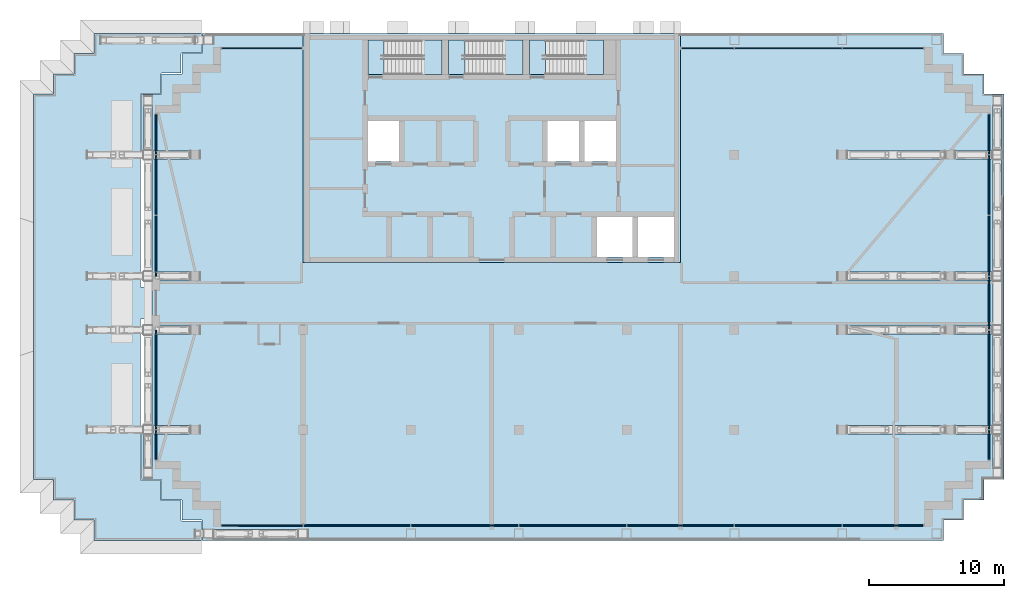
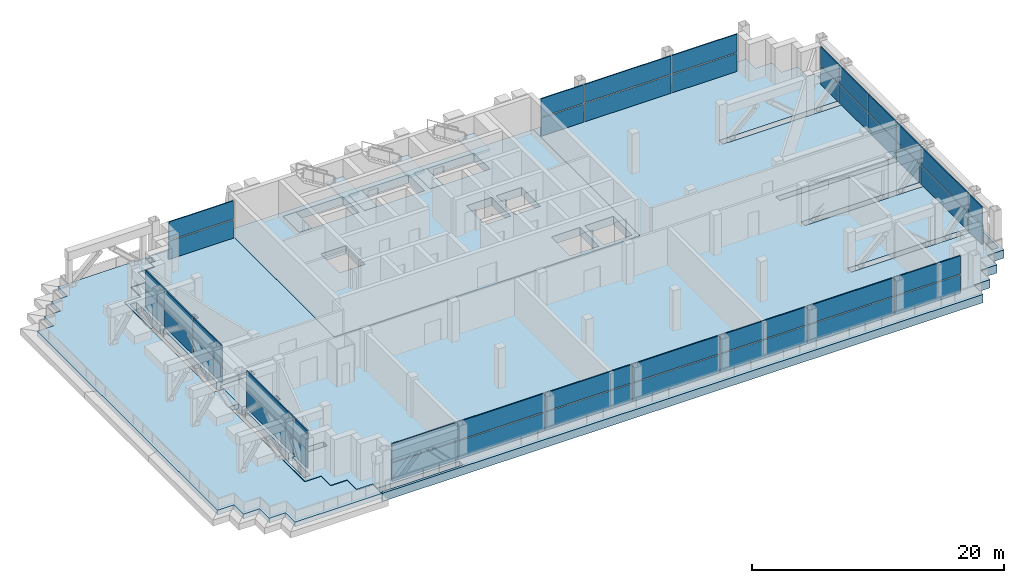
# One storey, part 6 of 21: 44 plates, 9 slabs, 9 elements without a shape of their own.
"""IFC4 building model written with IfcOpenShell, lengths in metres."""

from ifc_helpers import new_model, si_unit, direction, frame, origin, origin_2d, place, context, subcontext, project, spatial, polyline, rectangle, outline, extrude, material, layer, layer_set, type_object, element, aggregate, save


model = new_model("IFC4")

# Units and contexts
model_context = context("Model", 3, precision=1e-05, world=origin(), true_north=direction((0.0, 1.0)))
body_context = subcontext(model_context, "Body", "Model", "MODEL_VIEW")
ifc_project = project(units=[si_unit("LENGTHUNIT", "METRE"), si_unit("AREAUNIT", "SQUARE_METRE"), si_unit("VOLUMEUNIT", "CUBIC_METRE"), si_unit("PLANEANGLEUNIT", "RADIAN"), si_unit("MASSUNIT", "GRAM", prefix="KILO")], contexts=[model_context])

# Site, building, storey
site_placement = place(None, origin())
site = spatial("IfcSite", under=ifc_project, at=site_placement, CompositionType="ELEMENT")
building_placement = place(site_placement, origin())
building = spatial("IfcBuilding", under=site, at=building_placement, Name="Vidyagriha Tower", CompositionType="ELEMENT")
storey_placement = place(building_placement, frame((0.0, 0.0, 161.39990234375)))
storey = spatial("IfcBuildingStorey", under=building, at=storey_placement, Name="L41", CompositionType="ELEMENT", Elevation=161.39990234375)

# Slabs
ifc_material_1 = material(Name="Concrete C60/75", Category="concrete")
ifc_layer_1 = layer(ifc_material_1, 0.800048828125)
ifc_layer_set_1 = layer_set([ifc_layer_1], Name="Concrete C60/75")
slab_type_1 = type_object("IfcSlabType", Name="Core floor slab 800 mm", PredefinedType="FLOOR", material=ifc_layer_set_1)
slab_1_placement = place(storey_placement, frame((0.0, 0.0, -0.7998046875)))
element("IfcSlab", 1, at=slab_1_placement, inside=storey, type_object=slab_type_1, Name="L41 core floor 1", PredefinedType="FLOOR", context=body_context, shape_type="SweptSolid", body=[
    extrude(outline(polyline([(-14.0, 3.0), (-14.0, 20.0), (14.0, 20.0), (14.0, 3.0), (-14.0, 3.0)]), holes=[polyline([(13.5, 6.39990234375), (10.855712890625, 6.39990234375), (10.855712890625, 3.39990234375), (13.5, 3.39990234375), (13.5, 6.39990234375)]), polyline([(10.45556640625, 6.39990234375), (7.81103515625, 6.39990234375), (7.81103515625, 3.39990234375), (10.45556640625, 3.39990234375), (10.45556640625, 6.39990234375)]), polyline([(9.199951171875, 13.5), (6.86669921875, 13.5), (6.86669921875, 10.5), (9.199951171875, 10.5), (9.199951171875, 13.5)]), polyline([(2.800048828125, 19.5), (2.800048828125, 16.949951171875), (4.0, 16.949951171875), (8.300048828125, 16.949951171875), (8.300048828125, 19.5), (4.0, 19.5), (2.800048828125, 19.5)]), polyline([(4.13330078125, 13.5), (4.13330078125, 10.5), (6.466796875, 10.5), (6.466796875, 13.5), (4.13330078125, 13.5)]), polyline([(-2.0, 19.5), (-3.199951171875, 19.5), (-3.199951171875, 16.949951171875), (-2.0, 16.949951171875), (2.300048828125, 16.949951171875), (2.300048828125, 19.5), (-2.0, 19.5)]), polyline([(-9.199951171875, 19.5), (-9.199951171875, 16.949951171875), (-8.0, 16.949951171875), (-3.699951171875, 16.949951171875), (-3.699951171875, 19.5), (-8.0, 19.5), (-9.199951171875, 19.5)]), polyline([(-9.199951171875, 13.5), (-9.199951171875, 10.5), (-6.86669921875, 10.5), (-6.86669921875, 13.5), (-9.199951171875, 13.5)])]), origin(), (0.0, 0.0, 1.0), 0.7998046875),
])
ifc_material_2 = material(Name="Concrete C40/50", Category="concrete")
ifc_layer_2 = layer(ifc_material_2, 0.800048828125)
ifc_layer_set_2 = layer_set([ifc_layer_2], Name="Concrete C40/50")
slab_type_2 = type_object("IfcSlabType", Name="Exit stair floor landing 800 mm", PredefinedType="LANDING", material=ifc_layer_set_2)
slab_2_placement = place(storey_placement, frame((0.0, 0.0, -0.7998046875)))
element("IfcSlab", 2, at=slab_2_placement, inside=storey, type_object=slab_type_2, Name="ST1 floor landing L41", PredefinedType="LANDING", context=body_context, shape_type="SweptSolid", body=[
    extrude(outline(polyline([(-9.199951171875, 16.949951171875), (-8.0, 16.949951171875), (-8.0, 19.5), (-9.199951171875, 19.5), (-9.199951171875, 16.949951171875)])), origin(), (0.0, 0.0, 1.0), 0.7998046875),
])
slab_3_placement = place(storey_placement, frame((0.0, 0.0, -0.7998046875)))
element("IfcSlab", 3, at=slab_3_placement, inside=storey, type_object=slab_type_2, Name="ST2 floor landing L41", PredefinedType="LANDING", context=body_context, shape_type="SweptSolid", body=[
    extrude(outline(polyline([(-3.199951171875, 16.949951171875), (-2.0, 16.949951171875), (-2.0, 19.5), (-3.199951171875, 19.5), (-3.199951171875, 16.949951171875)])), origin(), (0.0, 0.0, 1.0), 0.7998046875),
])
slab_4_placement = place(storey_placement, frame((0.0, 0.0, -0.7998046875)))
element("IfcSlab", 4, at=slab_4_placement, inside=storey, type_object=slab_type_2, Name="ST3 floor landing L41", PredefinedType="LANDING", context=body_context, shape_type="SweptSolid", body=[
    extrude(outline(polyline([(2.800048828125, 16.949951171875), (4.0, 16.949951171875), (4.0, 19.5), (2.800048828125, 19.5), (2.800048828125, 16.949951171875)])), origin(), (0.0, 0.0, 1.0), 0.7998046875),
])

# Stair, slab
ifc_material_3 = material(Name="Concrete C40/50", Category="concrete")
stair_type = type_object("IfcStairType", Name="Exit stair, half-turn, precast flights", PredefinedType="HALF_TURN_STAIR", material=ifc_material_3)
stair_1_placement = place(storey_placement, origin())
stair_1 = element("IfcStair", 5, at=stair_1_placement, inside=storey, type_object=stair_type, Name="L41 Exit Stair ST1", PredefinedType="HALF_TURN_STAIR")
ifc_material_4 = material(Name="Concrete C40/50", Category="concrete")
ifc_layer_3 = layer(ifc_material_4, 0.199951171875)
ifc_layer_set_3 = layer_set([ifc_layer_3], Name="Concrete C40/50")
slab_type_3 = type_object("IfcSlabType", Name="Exit stair landing 200 mm", PredefinedType="LANDING", material=ifc_layer_set_3)
slab_5_placement = place(storey_placement, frame((0.0, 0.0, 1.75)))
slab_5 = element("IfcSlab", 6, at=slab_5_placement, type_object=slab_type_3, Name="ST1 landing 1", PredefinedType="LANDING", context=body_context, shape_type="SweptSolid", body=[
    extrude(outline(polyline([(-5.199951171875, 16.949951171875), (-3.699951171875, 16.949951171875), (-3.699951171875, 19.5), (-5.199951171875, 19.5), (-5.199951171875, 16.949951171875)])), origin(), (0.0, 0.0, 1.0), 0.2001953125),
])
aggregate(stair_1, [slab_5])

stair_2_placement = place(storey_placement, origin())
stair_2 = element("IfcStair", 7, at=stair_2_placement, inside=storey, type_object=stair_type, Name="L41 Exit Stair ST2", PredefinedType="HALF_TURN_STAIR")
slab_6_placement = place(storey_placement, frame((0.0, 0.0, 1.75)))
slab_6 = element("IfcSlab", 8, at=slab_6_placement, type_object=slab_type_3, Name="ST2 landing 1", PredefinedType="LANDING", context=body_context, shape_type="SweptSolid", body=[
    extrude(outline(polyline([(0.800048828125, 16.949951171875), (2.300048828125, 16.949951171875), (2.300048828125, 19.5), (0.800048828125, 19.5), (0.800048828125, 16.949951171875)])), origin(), (0.0, 0.0, 1.0), 0.2001953125),
])
aggregate(stair_2, [slab_6])

stair_3_placement = place(storey_placement, origin())
stair_3 = element("IfcStair", 9, at=stair_3_placement, inside=storey, type_object=stair_type, Name="L41 Exit Stair ST3", PredefinedType="HALF_TURN_STAIR")
slab_7_placement = place(storey_placement, frame((0.0, 0.0, 1.75)))
slab_7 = element("IfcSlab", 10, at=slab_7_placement, type_object=slab_type_3, Name="ST3 landing 1", PredefinedType="LANDING", context=body_context, shape_type="SweptSolid", body=[
    extrude(outline(polyline([(6.800048828125, 16.949951171875), (8.300048828125, 16.949951171875), (8.300048828125, 19.5), (6.800048828125, 19.5), (6.800048828125, 16.949951171875)])), origin(), (0.0, 0.0, 1.0), 0.2001953125),
])
aggregate(stair_3, [slab_7])

# Curtain wall, plates
ifc_material_5 = material(Name="Aluminium and glass curtain wall", Category="aluminium")
curtain_wall_type = type_object("IfcCurtainWallType", Name="Plant louvre wall", PredefinedType="USERDEFINED", material=ifc_material_5)
curtain_wall_1_placement = place(storey_placement, origin())
curtain_wall_1 = element("IfcCurtainWall", 11, at=curtain_wall_1_placement, inside=storey, type_object=curtain_wall_type, Name="CW7 plant louvre wall", ObjectType="STICK GLAZING", PredefinedType="USERDEFINED")
ifc_material_6 = material(Name="Perforated fired clay brick jaali screen", Category="masonry")
ifc_layer_4 = layer(ifc_material_6, 0.10009765625)
ifc_layer_set_4 = layer_set([ifc_layer_4], Name="Perforated fired clay brick jaali screen")
plate_type = type_object("IfcPlateType", Name="Perforated brick jaali screen panel", PredefinedType="CURTAIN_PANEL", material=ifc_layer_set_4)
plate_1_placement = place(storey_placement, frame((29.030029296875, 18.89990234375, 0.0), z_axis=(0.0, 0.0, 1.0), x_axis=(-1.0, 0.0, 0.0)))
plate_1 = element("IfcPlate", 12, at=plate_1_placement, type_object=plate_type, Name="CW7 panel 1.1", PredefinedType="CURTAIN_PANEL", context=body_context, shape_type="SweptSolid", body=[
    extrude(rectangle(XDim=5.97998046875, YDim=0.10009765625, at=origin_2d()), origin(), (0.0, 0.0, 1.0), 1.760009765625),
])
plate_2_placement = place(storey_placement, frame((29.030029296875, 18.89990234375, 1.85986328125), z_axis=(0.0, 0.0, 1.0), x_axis=(-1.0, 0.0, 0.0)))
plate_2 = element("IfcPlate", 13, at=plate_2_placement, type_object=plate_type, Name="CW7 panel 1.2", PredefinedType="CURTAIN_PANEL", context=body_context, shape_type="SweptSolid", body=[
    extrude(rectangle(XDim=5.97998046875, YDim=0.10009765625, at=origin_2d()), origin(), (0.0, 0.0, 1.0), 1.760009765625),
])
plate_3_placement = place(storey_placement, frame((22.0, 18.89990234375, 0.0), z_axis=(0.0, 0.0, 1.0), x_axis=(-1.0, 0.0, 0.0)))
plate_3 = element("IfcPlate", 14, at=plate_3_placement, type_object=plate_type, Name="CW7 panel 2.1", PredefinedType="CURTAIN_PANEL", context=body_context, shape_type="SweptSolid", body=[
    extrude(rectangle(XDim=7.919921875, YDim=0.10009765625, at=origin_2d()), origin(), (0.0, 0.0, 1.0), 1.760009765625),
])
plate_4_placement = place(storey_placement, frame((22.0, 18.89990234375, 1.85986328125), z_axis=(0.0, 0.0, 1.0), x_axis=(-1.0, 0.0, 0.0)))
plate_4 = element("IfcPlate", 15, at=plate_4_placement, type_object=plate_type, Name="CW7 panel 2.2", PredefinedType="CURTAIN_PANEL", context=body_context, shape_type="SweptSolid", body=[
    extrude(rectangle(XDim=7.919921875, YDim=0.10009765625, at=origin_2d()), origin(), (0.0, 0.0, 1.0), 1.760009765625),
])
plate_5_placement = place(storey_placement, frame((16.02001953125, 18.89990234375, 0.0), z_axis=(0.0, 0.0, 1.0), x_axis=(-1.0, 0.0, 0.0)))
plate_5 = element("IfcPlate", 16, at=plate_5_placement, type_object=plate_type, Name="CW7 panel 3.1", PredefinedType="CURTAIN_PANEL", context=body_context, shape_type="SweptSolid", body=[
    extrude(rectangle(XDim=3.8798828125, YDim=0.10009765625, at=origin_2d()), origin(), (0.0, 0.0, 1.0), 1.760009765625),
])
plate_6_placement = place(storey_placement, frame((16.02001953125, 18.89990234375, 1.85986328125), z_axis=(0.0, 0.0, 1.0), x_axis=(-1.0, 0.0, 0.0)))
plate_6 = element("IfcPlate", 17, at=plate_6_placement, type_object=plate_type, Name="CW7 panel 3.2", PredefinedType="CURTAIN_PANEL", context=body_context, shape_type="SweptSolid", body=[
    extrude(rectangle(XDim=3.8798828125, YDim=0.10009765625, at=origin_2d()), origin(), (0.0, 0.0, 1.0), 1.760009765625),
])
aggregate(curtain_wall_1, [plate_1, plate_2, plate_3, plate_4, plate_5, plate_6])

curtain_wall_2_placement = place(storey_placement, origin())
curtain_wall_2 = element("IfcCurtainWall", 18, at=curtain_wall_2_placement, inside=storey, type_object=curtain_wall_type, Name="CW7 plant louvre wall", ObjectType="STICK GLAZING", PredefinedType="USERDEFINED")
plate_7_placement = place(storey_placement, frame((-17.050048828125, 18.89990234375, 0.0), z_axis=(0.0, 0.0, 1.0), x_axis=(-1.0, 0.0, 0.0)))
plate_7 = element("IfcPlate", 19, at=plate_7_placement, type_object=plate_type, Name="CW7 panel 1.1", PredefinedType="CURTAIN_PANEL", context=body_context, shape_type="SweptSolid", body=[
    extrude(rectangle(XDim=5.93994140625, YDim=0.10009765625, at=origin_2d()), origin(), (0.0, 0.0, 1.0), 1.760009765625),
])
plate_8_placement = place(storey_placement, frame((-17.050048828125, 18.89990234375, 1.85986328125), z_axis=(0.0, 0.0, 1.0), x_axis=(-1.0, 0.0, 0.0)))
plate_8 = element("IfcPlate", 20, at=plate_8_placement, type_object=plate_type, Name="CW7 panel 1.2", PredefinedType="CURTAIN_PANEL", context=body_context, shape_type="SweptSolid", body=[
    extrude(rectangle(XDim=5.93994140625, YDim=0.10009765625, at=origin_2d()), origin(), (0.0, 0.0, 1.0), 1.760009765625),
])
aggregate(curtain_wall_2, [plate_7, plate_8])

curtain_wall_3_placement = place(storey_placement, origin())
curtain_wall_3 = element("IfcCurtainWall", 21, at=curtain_wall_3_placement, inside=storey, type_object=curtain_wall_type, Name="CW7 plant louvre wall", ObjectType="STICK GLAZING", PredefinedType="USERDEFINED")
plate_9_placement = place(storey_placement, frame((-24.89990234375, 12.530029296875, 0.0), z_axis=(0.0, 0.0, 1.0), x_axis=(0.0, -1.0, 0.0)))
plate_9 = element("IfcPlate", 22, at=plate_9_placement, type_object=plate_type, Name="CW7 panel 1.1", PredefinedType="CURTAIN_PANEL", context=body_context, shape_type="SweptSolid", body=[
    extrude(rectangle(XDim=2.97998046875, YDim=0.10009765625, at=origin_2d()), origin(), (0.0, 0.0, 1.0), 1.760009765625),
])
plate_10_placement = place(storey_placement, frame((-24.89990234375, 12.530029296875, 1.85986328125), z_axis=(0.0, 0.0, 1.0), x_axis=(0.0, -1.0, 0.0)))
plate_10 = element("IfcPlate", 23, at=plate_10_placement, type_object=plate_type, Name="CW7 panel 1.2", PredefinedType="CURTAIN_PANEL", context=body_context, shape_type="SweptSolid", body=[
    extrude(rectangle(XDim=2.97998046875, YDim=0.10009765625, at=origin_2d()), origin(), (0.0, 0.0, 1.0), 1.760009765625),
])
plate_11_placement = place(storey_placement, frame((-24.89990234375, 8.75, 0.0), z_axis=(0.0, 0.0, 1.0), x_axis=(0.0, -1.0, 0.0)))
plate_11 = element("IfcPlate", 24, at=plate_11_placement, type_object=plate_type, Name="CW7 panel 2.1", PredefinedType="CURTAIN_PANEL", context=body_context, shape_type="SweptSolid", body=[
    extrude(rectangle(XDim=4.419921875, YDim=0.10009765625, at=origin_2d()), origin(), (0.0, 0.0, 1.0), 1.760009765625),
])
plate_12_placement = place(storey_placement, frame((-24.89990234375, 8.75, 1.85986328125), z_axis=(0.0, 0.0, 1.0), x_axis=(0.0, -1.0, 0.0)))
plate_12 = element("IfcPlate", 25, at=plate_12_placement, type_object=plate_type, Name="CW7 panel 2.2", PredefinedType="CURTAIN_PANEL", context=body_context, shape_type="SweptSolid", body=[
    extrude(rectangle(XDim=4.419921875, YDim=0.10009765625, at=origin_2d()), origin(), (0.0, 0.0, 1.0), 1.760009765625),
])
plate_13_placement = place(storey_placement, frame((-24.89990234375, 4.22998046875, 0.0), z_axis=(0.0, 0.0, 1.0), x_axis=(0.0, -1.0, 0.0)))
plate_13 = element("IfcPlate", 26, at=plate_13_placement, type_object=plate_type, Name="CW7 panel 3.1", PredefinedType="CURTAIN_PANEL", context=body_context, shape_type="SweptSolid", body=[
    extrude(rectangle(XDim=4.4599609375, YDim=0.10009765625, at=origin_2d()), origin(), (0.0, 0.0, 1.0), 1.760009765625),
])
plate_14_placement = place(storey_placement, frame((-24.89990234375, 4.22998046875, 1.85986328125), z_axis=(0.0, 0.0, 1.0), x_axis=(0.0, -1.0, 0.0)))
plate_14 = element("IfcPlate", 27, at=plate_14_placement, type_object=plate_type, Name="CW7 panel 3.2", PredefinedType="CURTAIN_PANEL", context=body_context, shape_type="SweptSolid", body=[
    extrude(rectangle(XDim=4.4599609375, YDim=0.10009765625, at=origin_2d()), origin(), (0.0, 0.0, 1.0), 1.760009765625),
])
aggregate(curtain_wall_3, [plate_9, plate_10, plate_11, plate_12, plate_13, plate_14])

curtain_wall_4_placement = place(storey_placement, origin())
curtain_wall_4 = element("IfcCurtainWall", 28, at=curtain_wall_4_placement, inside=storey, type_object=curtain_wall_type, Name="CW7 plant louvre wall", ObjectType="STICK GLAZING", PredefinedType="USERDEFINED")
plate_15_placement = place(storey_placement, frame((-24.89990234375, -5.679931640625, 0.0), z_axis=(0.0, 0.0, 1.0), x_axis=(0.0, -1.0, 0.0)))
plate_15 = element("IfcPlate", 29, at=plate_15_placement, type_object=plate_type, Name="CW7 panel 1.1", PredefinedType="CURTAIN_PANEL", context=body_context, shape_type="SweptSolid", body=[
    extrude(rectangle(XDim=7.360107421875, YDim=0.10009765625, at=origin_2d()), origin(), (0.0, 0.0, 1.0), 1.760009765625),
])
plate_16_placement = place(storey_placement, frame((-24.89990234375, -5.679931640625, 1.85986328125), z_axis=(0.0, 0.0, 1.0), x_axis=(0.0, -1.0, 0.0)))
plate_16 = element("IfcPlate", 30, at=plate_16_placement, type_object=plate_type, Name="CW7 panel 1.2", PredefinedType="CURTAIN_PANEL", context=body_context, shape_type="SweptSolid", body=[
    extrude(rectangle(XDim=7.360107421875, YDim=0.10009765625, at=origin_2d()), origin(), (0.0, 0.0, 1.0), 1.760009765625),
])
plate_17_placement = place(storey_placement, frame((-24.89990234375, -10.530029296875, 0.0), z_axis=(0.0, 0.0, 1.0), x_axis=(0.0, -1.0, 0.0)))
plate_17 = element("IfcPlate", 31, at=plate_17_placement, type_object=plate_type, Name="CW7 panel 2.1", PredefinedType="CURTAIN_PANEL", context=body_context, shape_type="SweptSolid", body=[
    extrude(rectangle(XDim=2.179931640625, YDim=0.10009765625, at=origin_2d()), origin(), (0.0, 0.0, 1.0), 1.760009765625),
])
plate_18_placement = place(storey_placement, frame((-24.89990234375, -10.530029296875, 1.85986328125), z_axis=(0.0, 0.0, 1.0), x_axis=(0.0, -1.0, 0.0)))
plate_18 = element("IfcPlate", 32, at=plate_18_placement, type_object=plate_type, Name="CW7 panel 2.2", PredefinedType="CURTAIN_PANEL", context=body_context, shape_type="SweptSolid", body=[
    extrude(rectangle(XDim=2.179931640625, YDim=0.10009765625, at=origin_2d()), origin(), (0.0, 0.0, 1.0), 1.760009765625),
])
aggregate(curtain_wall_4, [plate_15, plate_16, plate_17, plate_18])

curtain_wall_5_placement = place(storey_placement, origin())
curtain_wall_5 = element("IfcCurtainWall", 33, at=curtain_wall_5_placement, inside=storey, type_object=curtain_wall_type, Name="CW7 plant louvre wall", ObjectType="STICK GLAZING", PredefinedType="USERDEFINED")
plate_19_placement = place(storey_placement, frame((-17.030029296875, -16.5, 0.0)))
plate_19 = element("IfcPlate", 34, at=plate_19_placement, type_object=plate_type, Name="CW7 panel 1.1", PredefinedType="CURTAIN_PANEL", context=body_context, shape_type="SweptSolid", body=[
    extrude(rectangle(XDim=5.97998046875, YDim=0.10009765625, at=origin_2d()), origin(), (0.0, 0.0, 1.0), 1.760009765625),
])
plate_20_placement = place(storey_placement, frame((-17.030029296875, -16.5, 1.85986328125)))
plate_20 = element("IfcPlate", 35, at=plate_20_placement, type_object=plate_type, Name="CW7 panel 1.2", PredefinedType="CURTAIN_PANEL", context=body_context, shape_type="SweptSolid", body=[
    extrude(rectangle(XDim=5.97998046875, YDim=0.10009765625, at=origin_2d()), origin(), (0.0, 0.0, 1.0), 1.760009765625),
])
plate_21_placement = place(storey_placement, frame((-10.0, -16.5, 0.0)))
plate_21 = element("IfcPlate", 36, at=plate_21_placement, type_object=plate_type, Name="CW7 panel 2.1", PredefinedType="CURTAIN_PANEL", context=body_context, shape_type="SweptSolid", body=[
    extrude(rectangle(XDim=7.919921875, YDim=0.10009765625, at=origin_2d()), origin(), (0.0, 0.0, 1.0), 1.760009765625),
])
plate_22_placement = place(storey_placement, frame((-10.0, -16.5, 1.85986328125)))
plate_22 = element("IfcPlate", 37, at=plate_22_placement, type_object=plate_type, Name="CW7 panel 2.2", PredefinedType="CURTAIN_PANEL", context=body_context, shape_type="SweptSolid", body=[
    extrude(rectangle(XDim=7.919921875, YDim=0.10009765625, at=origin_2d()), origin(), (0.0, 0.0, 1.0), 1.760009765625),
])
plate_23_placement = place(storey_placement, frame((-2.0, -16.5, 0.0)))
plate_23 = element("IfcPlate", 38, at=plate_23_placement, type_object=plate_type, Name="CW7 panel 3.1", PredefinedType="CURTAIN_PANEL", context=body_context, shape_type="SweptSolid", body=[
    extrude(rectangle(XDim=7.919921875, YDim=0.10009765625, at=origin_2d()), origin(), (0.0, 0.0, 1.0), 1.760009765625),
])
plate_24_placement = place(storey_placement, frame((-2.0, -16.5, 1.85986328125)))
plate_24 = element("IfcPlate", 39, at=plate_24_placement, type_object=plate_type, Name="CW7 panel 3.2", PredefinedType="CURTAIN_PANEL", context=body_context, shape_type="SweptSolid", body=[
    extrude(rectangle(XDim=7.919921875, YDim=0.10009765625, at=origin_2d()), origin(), (0.0, 0.0, 1.0), 1.760009765625),
])
plate_25_placement = place(storey_placement, frame((6.0, -16.5, 0.0)))
plate_25 = element("IfcPlate", 40, at=plate_25_placement, type_object=plate_type, Name="CW7 panel 4.1", PredefinedType="CURTAIN_PANEL", context=body_context, shape_type="SweptSolid", body=[
    extrude(rectangle(XDim=7.919921875, YDim=0.10009765625, at=origin_2d()), origin(), (0.0, 0.0, 1.0), 1.760009765625),
])
plate_26_placement = place(storey_placement, frame((6.0, -16.5, 1.85986328125)))
plate_26 = element("IfcPlate", 41, at=plate_26_placement, type_object=plate_type, Name="CW7 panel 4.2", PredefinedType="CURTAIN_PANEL", context=body_context, shape_type="SweptSolid", body=[
    extrude(rectangle(XDim=7.919921875, YDim=0.10009765625, at=origin_2d()), origin(), (0.0, 0.0, 1.0), 1.760009765625),
])
plate_27_placement = place(storey_placement, frame((14.0, -16.5, 0.0)))
plate_27 = element("IfcPlate", 42, at=plate_27_placement, type_object=plate_type, Name="CW7 panel 5.1", PredefinedType="CURTAIN_PANEL", context=body_context, shape_type="SweptSolid", body=[
    extrude(rectangle(XDim=7.919921875, YDim=0.10009765625, at=origin_2d()), origin(), (0.0, 0.0, 1.0), 1.760009765625),
])
plate_28_placement = place(storey_placement, frame((14.0, -16.5, 1.85986328125)))
plate_28 = element("IfcPlate", 43, at=plate_28_placement, type_object=plate_type, Name="CW7 panel 5.2", PredefinedType="CURTAIN_PANEL", context=body_context, shape_type="SweptSolid", body=[
    extrude(rectangle(XDim=7.919921875, YDim=0.10009765625, at=origin_2d()), origin(), (0.0, 0.0, 1.0), 1.760009765625),
])
plate_29_placement = place(storey_placement, frame((22.0, -16.5, 0.0)))
plate_29 = element("IfcPlate", 44, at=plate_29_placement, type_object=plate_type, Name="CW7 panel 6.1", PredefinedType="CURTAIN_PANEL", context=body_context, shape_type="SweptSolid", body=[
    extrude(rectangle(XDim=7.919921875, YDim=0.10009765625, at=origin_2d()), origin(), (0.0, 0.0, 1.0), 1.760009765625),
])
plate_30_placement = place(storey_placement, frame((22.0, -16.5, 1.85986328125)))
plate_30 = element("IfcPlate", 45, at=plate_30_placement, type_object=plate_type, Name="CW7 panel 6.2", PredefinedType="CURTAIN_PANEL", context=body_context, shape_type="SweptSolid", body=[
    extrude(rectangle(XDim=7.919921875, YDim=0.10009765625, at=origin_2d()), origin(), (0.0, 0.0, 1.0), 1.760009765625),
])
plate_31_placement = place(storey_placement, frame((29.030029296875, -16.5, 0.0)))
plate_31 = element("IfcPlate", 46, at=plate_31_placement, type_object=plate_type, Name="CW7 panel 7.1", PredefinedType="CURTAIN_PANEL", context=body_context, shape_type="SweptSolid", body=[
    extrude(rectangle(XDim=5.97998046875, YDim=0.10009765625, at=origin_2d()), origin(), (0.0, 0.0, 1.0), 1.760009765625),
])
plate_32_placement = place(storey_placement, frame((29.030029296875, -16.5, 1.85986328125)))
plate_32 = element("IfcPlate", 47, at=plate_32_placement, type_object=plate_type, Name="CW7 panel 7.2", PredefinedType="CURTAIN_PANEL", context=body_context, shape_type="SweptSolid", body=[
    extrude(rectangle(XDim=5.97998046875, YDim=0.10009765625, at=origin_2d()), origin(), (0.0, 0.0, 1.0), 1.760009765625),
])
aggregate(curtain_wall_5, [plate_19, plate_20, plate_21, plate_22, plate_23, plate_24, plate_25, plate_26, plate_27, plate_28, plate_29, plate_30, plate_31, plate_32])

curtain_wall_6_placement = place(storey_placement, origin())
curtain_wall_6 = element("IfcCurtainWall", 48, at=curtain_wall_6_placement, inside=storey, type_object=curtain_wall_type, Name="CW7 plant louvre wall", ObjectType="STICK GLAZING", PredefinedType="USERDEFINED")
plate_33_placement = place(storey_placement, frame((36.89990234375, -10.530029296875, 0.0), z_axis=(0.0, 0.0, 1.0), x_axis=(0.0, 1.0, 0.0)))
plate_33 = element("IfcPlate", 49, at=plate_33_placement, type_object=plate_type, Name="CW7 panel 1.1", PredefinedType="CURTAIN_PANEL", context=body_context, shape_type="SweptSolid", body=[
    extrude(rectangle(XDim=2.179931640625, YDim=0.10009765625, at=origin_2d()), origin(), (0.0, 0.0, 1.0), 1.760009765625),
])
plate_34_placement = place(storey_placement, frame((36.89990234375, -10.530029296875, 1.85986328125), z_axis=(0.0, 0.0, 1.0), x_axis=(0.0, 1.0, 0.0)))
plate_34 = element("IfcPlate", 50, at=plate_34_placement, type_object=plate_type, Name="CW7 panel 1.2", PredefinedType="CURTAIN_PANEL", context=body_context, shape_type="SweptSolid", body=[
    extrude(rectangle(XDim=2.179931640625, YDim=0.10009765625, at=origin_2d()), origin(), (0.0, 0.0, 1.0), 1.760009765625),
])
plate_35_placement = place(storey_placement, frame((36.89990234375, -5.699951171875, 0.0), z_axis=(0.0, 0.0, 1.0), x_axis=(0.0, 1.0, 0.0)))
plate_35 = element("IfcPlate", 51, at=plate_35_placement, type_object=plate_type, Name="CW7 panel 2.1", PredefinedType="CURTAIN_PANEL", context=body_context, shape_type="SweptSolid", body=[
    extrude(rectangle(XDim=7.320068359375, YDim=0.10009765625, at=origin_2d()), origin(), (0.0, 0.0, 1.0), 1.760009765625),
])
plate_36_placement = place(storey_placement, frame((36.89990234375, -5.699951171875, 1.85986328125), z_axis=(0.0, 0.0, 1.0), x_axis=(0.0, 1.0, 0.0)))
plate_36 = element("IfcPlate", 52, at=plate_36_placement, type_object=plate_type, Name="CW7 panel 2.2", PredefinedType="CURTAIN_PANEL", context=body_context, shape_type="SweptSolid", body=[
    extrude(rectangle(XDim=7.320068359375, YDim=0.10009765625, at=origin_2d()), origin(), (0.0, 0.0, 1.0), 1.760009765625),
])
plate_37_placement = place(storey_placement, frame((36.89990234375, 0.0, 0.0), z_axis=(0.0, 0.0, 1.0), x_axis=(0.0, 1.0, 0.0)))
plate_37 = element("IfcPlate", 53, at=plate_37_placement, type_object=plate_type, Name="CW7 panel 3.1", PredefinedType="CURTAIN_PANEL", context=body_context, shape_type="SweptSolid", body=[
    extrude(rectangle(XDim=3.919921875, YDim=0.10009765625, at=origin_2d()), origin(), (0.0, 0.0, 1.0), 1.760009765625),
])
plate_38_placement = place(storey_placement, frame((36.89990234375, 0.0, 1.85986328125), z_axis=(0.0, 0.0, 1.0), x_axis=(0.0, 1.0, 0.0)))
plate_38 = element("IfcPlate", 54, at=plate_38_placement, type_object=plate_type, Name="CW7 panel 3.2", PredefinedType="CURTAIN_PANEL", context=body_context, shape_type="SweptSolid", body=[
    extrude(rectangle(XDim=3.919921875, YDim=0.10009765625, at=origin_2d()), origin(), (0.0, 0.0, 1.0), 1.760009765625),
])
plate_39_placement = place(storey_placement, frame((36.89990234375, 4.25, 0.0), z_axis=(0.0, 0.0, 1.0), x_axis=(0.0, 1.0, 0.0)))
plate_39 = element("IfcPlate", 55, at=plate_39_placement, type_object=plate_type, Name="CW7 panel 4.1", PredefinedType="CURTAIN_PANEL", context=body_context, shape_type="SweptSolid", body=[
    extrude(rectangle(XDim=4.419921875, YDim=0.10009765625, at=origin_2d()), origin(), (0.0, 0.0, 1.0), 1.760009765625),
])
plate_40_placement = place(storey_placement, frame((36.89990234375, 4.25, 1.85986328125), z_axis=(0.0, 0.0, 1.0), x_axis=(0.0, 1.0, 0.0)))
plate_40 = element("IfcPlate", 56, at=plate_40_placement, type_object=plate_type, Name="CW7 panel 4.2", PredefinedType="CURTAIN_PANEL", context=body_context, shape_type="SweptSolid", body=[
    extrude(rectangle(XDim=4.419921875, YDim=0.10009765625, at=origin_2d()), origin(), (0.0, 0.0, 1.0), 1.760009765625),
])
plate_41_placement = place(storey_placement, frame((36.89990234375, 8.75, 0.0), z_axis=(0.0, 0.0, 1.0), x_axis=(0.0, 1.0, 0.0)))
plate_41 = element("IfcPlate", 57, at=plate_41_placement, type_object=plate_type, Name="CW7 panel 5.1", PredefinedType="CURTAIN_PANEL", context=body_context, shape_type="SweptSolid", body=[
    extrude(rectangle(XDim=4.419921875, YDim=0.10009765625, at=origin_2d()), origin(), (0.0, 0.0, 1.0), 1.760009765625),
])
plate_42_placement = place(storey_placement, frame((36.89990234375, 8.75, 1.85986328125), z_axis=(0.0, 0.0, 1.0), x_axis=(0.0, 1.0, 0.0)))
plate_42 = element("IfcPlate", 58, at=plate_42_placement, type_object=plate_type, Name="CW7 panel 5.2", PredefinedType="CURTAIN_PANEL", context=body_context, shape_type="SweptSolid", body=[
    extrude(rectangle(XDim=4.419921875, YDim=0.10009765625, at=origin_2d()), origin(), (0.0, 0.0, 1.0), 1.760009765625),
])
plate_43_placement = place(storey_placement, frame((36.89990234375, 12.530029296875, 0.0), z_axis=(0.0, 0.0, 1.0), x_axis=(0.0, 1.0, 0.0)))
plate_43 = element("IfcPlate", 59, at=plate_43_placement, type_object=plate_type, Name="CW7 panel 6.1", PredefinedType="CURTAIN_PANEL", context=body_context, shape_type="SweptSolid", body=[
    extrude(rectangle(XDim=2.97998046875, YDim=0.10009765625, at=origin_2d()), origin(), (0.0, 0.0, 1.0), 1.760009765625),
])
plate_44_placement = place(storey_placement, frame((36.89990234375, 12.530029296875, 1.85986328125), z_axis=(0.0, 0.0, 1.0), x_axis=(0.0, 1.0, 0.0)))
plate_44 = element("IfcPlate", 60, at=plate_44_placement, type_object=plate_type, Name="CW7 panel 6.2", PredefinedType="CURTAIN_PANEL", context=body_context, shape_type="SweptSolid", body=[
    extrude(rectangle(XDim=2.97998046875, YDim=0.10009765625, at=origin_2d()), origin(), (0.0, 0.0, 1.0), 1.760009765625),
])
aggregate(curtain_wall_6, [plate_33, plate_34, plate_35, plate_36, plate_37, plate_38, plate_39, plate_40, plate_41, plate_42, plate_43, plate_44])

# Slabs
ifc_material_7 = material(Name="Concrete C50/60", Category="concrete")
ifc_layer_5 = layer(ifc_material_7, 0.449951171875)
ifc_layer_set_5 = layer_set([ifc_layer_5], Name="Concrete C50/60")
slab_type_4 = type_object("IfcSlabType", Name="Post-tensioned terrace slab 450", PredefinedType="FLOOR", material=ifc_layer_set_5)
slab_8_placement = place(storey_placement, frame((0.0, 0.0, -0.449951171875)))
element("IfcSlab", 61, at=slab_8_placement, inside=storey, type_object=slab_type_4, Name="st-terrace-TR-B4-1", PredefinedType="FLOOR", context=body_context, shape_type="SweptSolid", body=[
    extrude(outline(polyline([(-26.050048828125, -1.199951171875), (-26.050048828125, -13.10009765625), (-26.049072265625, -13.10986328125), (-26.046142578125, -13.119140625), (-26.04150390625, -13.127685546875), (-26.035400390625, -13.135498046875), (-26.03173828125, -13.138671875), (-26.01904296875, -13.146240234375), (-26.009765625, -13.14892578125), (-26.0, -13.14990234375), (-24.550048828125, -13.14990234375), (-24.550048828125, -14.60009765625), (-24.5498046875, -14.60498046875), (-24.5478515625, -14.614501953125), (-24.54150390625, -14.627685546875), (-24.535400390625, -14.635498046875), (-24.523681640625, -14.64404296875), (-24.509765625, -14.64892578125), (-24.5, -14.64990234375), (-23.050048828125, -14.64990234375), (-23.050048828125, -16.10009765625), (-23.049072265625, -16.10986328125), (-23.044189453125, -16.12353515625), (-23.035400390625, -16.135498046875), (-23.02783203125, -16.1416015625), (-23.014404296875, -16.147705078125), (-23.0048828125, -16.14990234375), (-23.0, -16.14990234375), (-21.550048828125, -16.14990234375), (-21.550048828125, -17.60009765625), (-29.5, -17.60009765625), (-29.5, -16.10009765625), (-31.0, -16.10009765625), (-31.0, -14.60009765625), (-32.5, -14.60009765625), (-32.5, -13.10009765625), (-34.0, -13.10009765625), (-34.0, 15.5), (-32.5, 15.5), (-32.5, 17.0), (-31.0, 17.0), (-31.0, 18.5), (-29.5, 18.5), (-29.5, 20.0), (-21.550048828125, 20.0), (-21.550048828125, 18.550048828125), (-23.0, 18.550048828125), (-23.0048828125, 18.5498046875), (-23.014404296875, 18.5478515625), (-23.02783203125, 18.54150390625), (-23.035400390625, 18.535400390625), (-23.044189453125, 18.523681640625), (-23.049072265625, 18.509765625), (-23.050048828125, 18.5), (-23.050048828125, 17.050048828125), (-24.5, 17.050048828125), (-24.509765625, 17.049072265625), (-24.523681640625, 17.044189453125), (-24.535400390625, 17.035400390625), (-24.54150390625, 17.02783203125), (-24.5478515625, 17.014404296875), (-24.5498046875, 17.0048828125), (-24.550048828125, 17.0), (-24.550048828125, 15.550048828125), (-26.0, 15.550048828125), (-26.009765625, 15.549072265625), (-26.01904296875, 15.546142578125), (-26.03173828125, 15.538818359375), (-26.035400390625, 15.535400390625), (-26.04150390625, 15.52783203125), (-26.046142578125, 15.51904296875), (-26.049072265625, 15.509765625), (-26.050048828125, 15.5), (-26.050048828125, 1.199951171875), (-25.199951171875, 1.199951171875), (-25.199951171875, -1.199951171875), (-26.050048828125, -1.199951171875)])), origin(), (0.0, 0.0, 1.0), 0.449951171875),
])
ifc_material_8 = material(Name="Concrete C50/60", Category="concrete")
ifc_layer_6 = layer(ifc_material_8, 0.800048828125)
ifc_layer_set_6 = layer_set([ifc_layer_6], Name="Concrete C50/60")
slab_type_5 = type_object("IfcSlabType", Name="Post-tensioned transfer deck 800", PredefinedType="FLOOR", material=ifc_layer_set_6)
slab_9_placement = place(storey_placement, frame((0.0, 0.0, -0.7998046875)))
element("IfcSlab", 62, at=slab_9_placement, inside=storey, type_object=slab_type_5, Name="st-slab-L41-1", PredefinedType="FLOOR", context=body_context, shape_type="SweptSolid", body=[
    extrude(outline(polyline([(35.0, -14.60009765625), (35.0, -16.10009765625), (33.5, -16.10009765625), (33.5, -17.60009765625), (-21.5, -17.60009765625), (-21.5, -17.39990234375), (-14.0, -17.39990234375), (-14.0, -16.800048828125), (-21.5, -16.800048828125), (-21.5, -16.10009765625), (-23.0, -16.10009765625), (-23.0, -14.60009765625), (-24.5, -14.60009765625), (-24.5, -13.10009765625), (-26.0, -13.10009765625), (-26.0, -9.699951171875), (-25.800048828125, -9.699951171875), (-25.800048828125, -12.60009765625), (-25.199951171875, -12.60009765625), (-25.199951171875, -9.699951171875), (-22.0, -9.699951171875), (-22.0, -9.10009765625), (-25.199951171875, -9.10009765625), (-25.199951171875, -2.300048828125), (-22.0, -2.300048828125), (-22.0, -1.699951171875), (-25.199951171875, -1.699951171875), (-25.199951171875, 1.699951171875), (-22.0, 1.699951171875), (-22.0, 2.300048828125), (-25.199951171875, 2.300048828125), (-25.199951171875, 10.699951171875), (-22.0, 10.699951171875), (-22.0, 11.300048828125), (-25.199951171875, 11.300048828125), (-25.199951171875, 15.0), (-25.800048828125, 15.0), (-25.800048828125, 11.300048828125), (-26.0, 11.300048828125), (-26.0, 15.5), (-24.5, 15.5), (-24.5, 17.0), (-23.0, 17.0), (-23.0, 18.5), (-21.5, 18.5), (-21.5, 19.199951171875), (-21.0, 19.199951171875), (-21.0, 19.800048828125), (-21.5, 19.800048828125), (-21.5, 20.0), (-14.0, 20.0), (-14.0, 3.0), (14.0, 3.0), (14.0, 20.0), (33.5, 20.0), (33.5, 18.5), (35.0, 18.5), (35.0, 17.0), (36.5, 17.0), (36.5, 15.5), (38.0, 15.5), (38.0, -13.10009765625), (36.5, -13.10009765625), (36.5, -14.60009765625), (35.0, -14.60009765625)]), holes=[polyline([(26.0, -9.10009765625), (26.0, -9.699951171875), (37.199951171875, -9.699951171875), (37.199951171875, -12.60009765625), (37.800048828125, -12.60009765625), (37.800048828125, 15.0), (37.199951171875, 15.0), (37.199951171875, 11.300048828125), (26.0, 11.300048828125), (26.0, 10.699951171875), (37.199951171875, 10.699951171875), (37.199951171875, 2.300048828125), (26.0, 2.300048828125), (26.0, 1.699951171875), (37.199951171875, 1.699951171875), (37.199951171875, -1.699951171875), (26.0, -1.699951171875), (26.0, -2.300048828125), (37.199951171875, -2.300048828125), (37.199951171875, -9.10009765625), (26.0, -9.10009765625)])]), origin(), (0.0, 0.0, 1.0), 0.7998046875),
])

save(model, "model.ifc")
